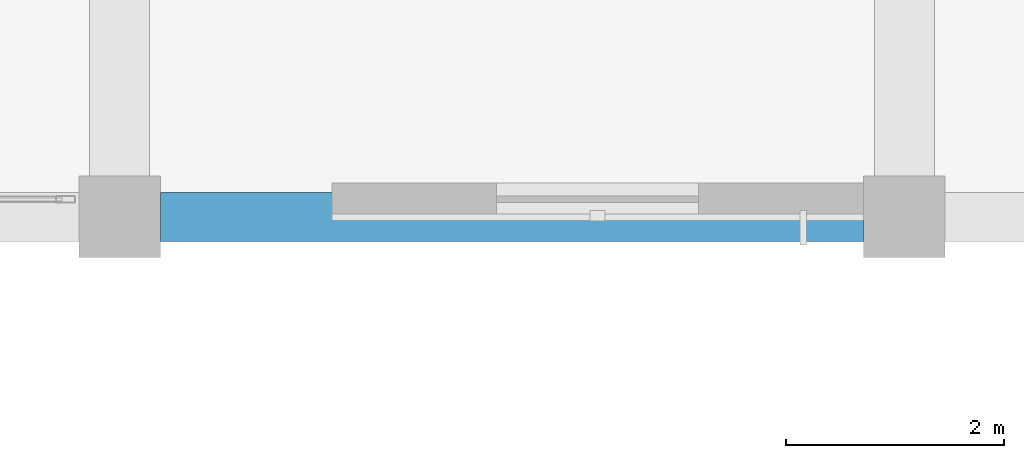
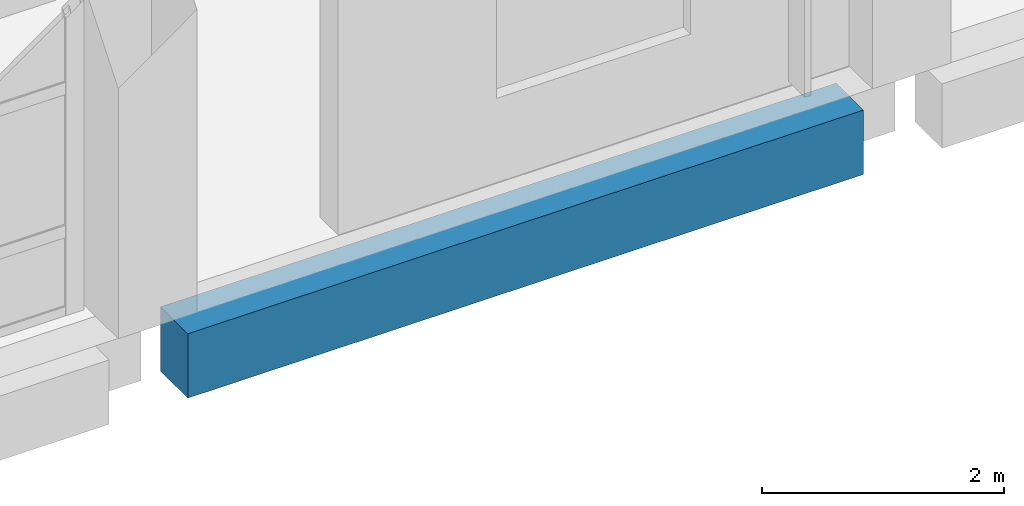
# One storey, part 58 of 137: 1 beam.
"""IFC4 building model written with IfcOpenShell, lengths in metres."""

from ifc_helpers import new_model, si_unit, direction, frame, origin, origin_2d, place, context, subcontext, project, spatial, rectangle, extrude, material, material_profile, profile_set, type_object, element, save


model = new_model("IFC4")

# Units and contexts
model_context = context("Model", 3, precision=1e-05, world=origin(), true_north=direction((0.0, 1.0)))
body_context = subcontext(model_context, "Body", "Model", "MODEL_VIEW")
ifc_project = project(units=[si_unit("LENGTHUNIT", "METRE"), si_unit("AREAUNIT", "SQUARE_METRE"), si_unit("VOLUMEUNIT", "CUBIC_METRE"), si_unit("PLANEANGLEUNIT", "RADIAN"), si_unit("MASSUNIT", "GRAM", prefix="KILO")], contexts=[model_context])

# Site, building, storey
site_placement = place(None, origin())
site = spatial("IfcSite", under=ifc_project, at=site_placement, CompositionType="ELEMENT")
building_placement = place(site_placement, origin())
building = spatial("IfcBuilding", under=site, at=building_placement, Name="Kalmorath City Hall", CompositionType="ELEMENT")
storey_placement = place(building_placement, origin())
storey = spatial("IfcBuildingStorey", under=building, at=storey_placement, Name="L00", CompositionType="ELEMENT", Elevation=0.0)

# Beam
ifc_material = material(Name="Concrete C40/50", Category="concrete")
ifc_material_profile = material_profile(ifc_material, rectangle(XDim=0.449951171875, YDim=0.64990234375, at=origin_2d()), Name="RC-BM-450X650")
ifc_profile_set = profile_set([ifc_material_profile], Name="Concrete C40/50")
beam_type = type_object("IfcBeamType", Name="Concrete spandrel beam 450x650", PredefinedType="SPANDREL", material=ifc_profile_set)
beam_placement = place(storey_placement, frame((108.375, 93.60009765625, -0.62890625), z_axis=(1.0, 0.0, 0.0), x_axis=(0.0, 1.0, 0.0)))
element("IfcBeam", 1, at=beam_placement, inside=storey, type_object=beam_type, Name="L00 girder CB5 X16-17/14", PredefinedType="SPANDREL", context=body_context, shape_type="SweptSolid", body=[
    extrude(rectangle(XDim=0.449951171875, YDim=0.64990234375, at=origin_2d()), origin(), (0.0, 0.0, 1.0), 6.449951171875),
])

save(model, "model.ifc")
